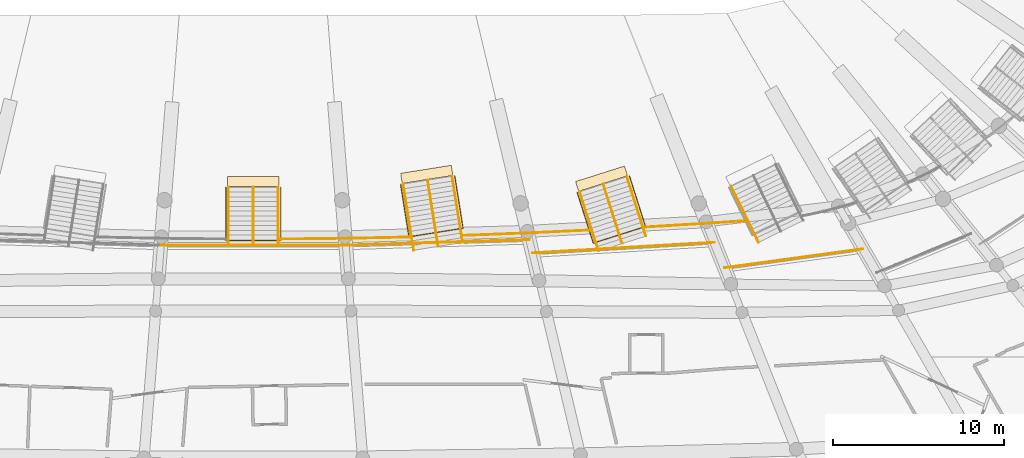
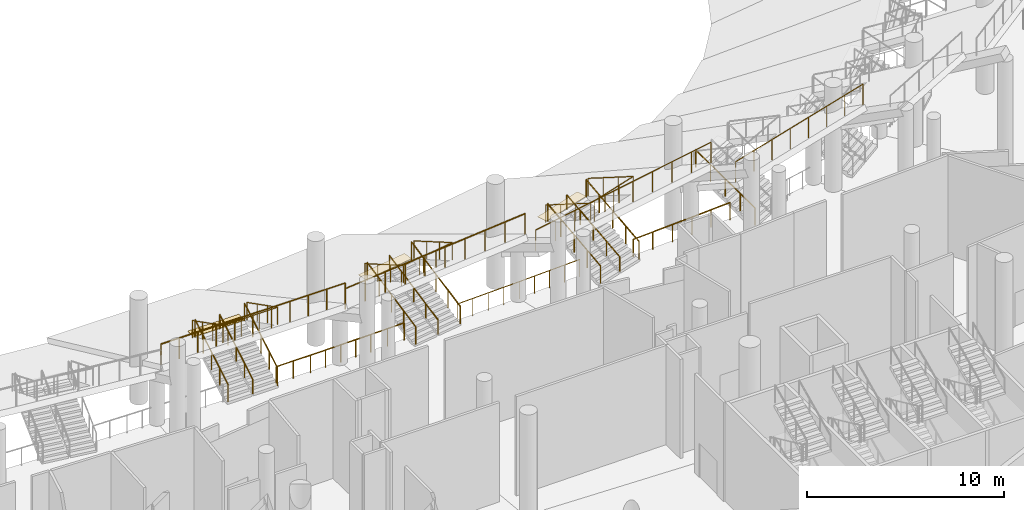
# One storey, part 207 of 255: 20 railings, 3 coverings.
"""IFC4 building model written with IfcOpenShell, lengths in metres."""

from ifc_helpers import new_model, si_unit, direction, frame, origin, origin_2d, place, context, subcontext, project, spatial, rectangle, circle, extrude, material, layer, layer_set, type_object, element, save


model = new_model("IFC4")

# Units and contexts
model_context = context("Model", 3, precision=1e-05, world=origin(), true_north=direction((0.0, 1.0)))
body_context = subcontext(model_context, "Body", "Model", "MODEL_VIEW")
ifc_project = project(units=[si_unit("LENGTHUNIT", "METRE"), si_unit("AREAUNIT", "SQUARE_METRE"), si_unit("VOLUMEUNIT", "CUBIC_METRE"), si_unit("PLANEANGLEUNIT", "RADIAN"), si_unit("MASSUNIT", "GRAM", prefix="KILO")], contexts=[model_context])

# Site, building, storey
site_placement = place(None, origin())
site = spatial("IfcSite", under=ifc_project, at=site_placement, CompositionType="ELEMENT")
building_placement = place(site_placement, origin())
building = spatial("IfcBuilding", under=site, at=building_placement, Name="Meseta Stadium", CompositionType="ELEMENT")
storey_placement = place(building_placement, origin())
storey = spatial("IfcBuildingStorey", under=building, at=storey_placement, Name="L00", CompositionType="ELEMENT", Elevation=0.0)

# Railings
ifc_material_1 = material(Name="Steel S355", Category="steel")
railing_type_1 = type_object("IfcRailingType", Name="Plate edge guard 1100", PredefinedType="GUARDRAIL", material=ifc_material_1)
railing_1_placement = place(storey_placement, frame((1.570068359375, -73.095947265625, 0.0)))
element("IfcRailing", 1, at=railing_1_placement, inside=storey, type_object=railing_type_1, Name="L00 inner edge guard 48", PredefinedType="GUARDRAIL", context=body_context, shape_type="SweptSolid", body=[
    extrude(circle(Radius=0.02490234375, at=origin_2d()), frame((0.0, 0.0, 1.0751953125), z_axis=(0.999975107636, 0.007055785431, 0.0), x_axis=(-0.007055785431, 0.999975107636, 0.0)), (0.0, 0.0, 1.0), 2.0068359375),
    extrude(circle(Radius=0.02490234375, at=origin_2d()), frame((2.0068359375, 0.01416015625, 1.0751953125), z_axis=(0.99991923612, 0.012709100582, 0.0), x_axis=(-0.012709100582, 0.99991923612, 0.0)), (0.0, 0.0, 1.0), 1.78662109375),
    extrude(circle(Radius=0.02490234375, at=origin_2d()), frame((3.793212890625, 0.036865234375, 1.0751953125), z_axis=(0.99984668871, 0.017509970742, 0.0), x_axis=(-0.017509970742, 0.99984668871, 0.0)), (0.0, 0.0, 1.0), 1.78466796875),
    extrude(circle(Radius=0.02490234375, at=origin_2d()), frame((5.57763671875, 0.068115234375, 1.0751953125), z_axis=(0.999737298967, 0.022920145151, 0.0), x_axis=(-0.022920145151, 0.999737298967, 0.0)), (0.0, 0.0, 1.0), 1.981201171875),
    extrude(circle(Radius=0.02001953125, at=origin_2d()), origin(), (0.0, 0.0, 1.0), 1.050048828125),
    extrude(circle(Radius=0.02001953125, at=origin_2d()), frame((1.00341796875, 0.007080078125, 0.0)), (0.0, 0.0, 1.0), 1.050048828125),
    extrude(circle(Radius=0.02001953125, at=origin_2d()), frame((2.0068359375, 0.01416015625, 0.0)), (0.0, 0.0, 1.0), 1.050048828125),
    extrude(circle(Radius=0.02001953125, at=origin_2d()), frame((2.89990234375, 0.025390625, 0.0)), (0.0, 0.0, 1.0), 1.050048828125),
    extrude(circle(Radius=0.02001953125, at=origin_2d()), frame((3.793212890625, 0.036865234375, 0.0)), (0.0, 0.0, 1.0), 1.050048828125),
    extrude(circle(Radius=0.02001953125, at=origin_2d()), frame((4.685546875, 0.052490234375, 0.0)), (0.0, 0.0, 1.0), 1.050048828125),
    extrude(circle(Radius=0.02001953125, at=origin_2d()), frame((5.57763671875, 0.068115234375, 0.0)), (0.0, 0.0, 1.0), 1.050048828125),
    extrude(circle(Radius=0.02001953125, at=origin_2d()), frame((6.56787109375, 0.0908203125, 0.0)), (0.0, 0.0, 1.0), 1.050048828125),
    extrude(circle(Radius=0.02001953125, at=origin_2d()), frame((7.558349609375, 0.113525390625, 0.0)), (0.0, 0.0, 1.0), 1.050048828125),
])
railing_2_placement = place(storey_placement, frame((12.292724609375, -72.888671875, 0.0)))
element("IfcRailing", 2, at=railing_2_placement, inside=storey, type_object=railing_type_1, Name="L00 inner edge guard 49", PredefinedType="GUARDRAIL", context=body_context, shape_type="SweptSolid", body=[
    extrude(circle(Radius=0.02490234375, at=origin_2d()), frame((0.0, 0.0, 1.0751953125), z_axis=(0.999269861076, 0.038206606047, 0.0), x_axis=(-0.038206606047, 0.999269861076, 0.0)), (0.0, 0.0, 1.0), 3.725341796875),
    extrude(circle(Radius=0.02490234375, at=origin_2d()), frame((3.72265625, 0.142333984375, 1.0751953125), z_axis=(0.99889955311, 0.04690077607, 0.0), x_axis=(-0.04690077607, 0.99889955311, 0.0)), (0.0, 0.0, 1.0), 3.64892578125),
    extrude(circle(Radius=0.02001953125, at=origin_2d()), origin(), (0.0, 0.0, 1.0), 1.050048828125),
    extrude(circle(Radius=0.02001953125, at=origin_2d()), frame((0.9306640625, 0.03564453125, 0.0)), (0.0, 0.0, 1.0), 1.050048828125),
    extrude(circle(Radius=0.02001953125, at=origin_2d()), frame((1.861328125, 0.0712890625, 0.0)), (0.0, 0.0, 1.0), 1.050048828125),
    extrude(circle(Radius=0.02001953125, at=origin_2d()), frame((2.7919921875, 0.106689453125, 0.0)), (0.0, 0.0, 1.0), 1.050048828125),
    extrude(circle(Radius=0.02001953125, at=origin_2d()), frame((3.72265625, 0.142333984375, 0.0)), (0.0, 0.0, 1.0), 1.050048828125),
    extrude(circle(Radius=0.02001953125, at=origin_2d()), frame((4.6337890625, 0.18505859375, 0.0)), (0.0, 0.0, 1.0), 1.050048828125),
    extrude(circle(Radius=0.02001953125, at=origin_2d()), frame((5.545166015625, 0.22802734375, 0.0)), (0.0, 0.0, 1.0), 1.050048828125),
    extrude(circle(Radius=0.02001953125, at=origin_2d()), frame((6.45654296875, 0.270751953125, 0.0)), (0.0, 0.0, 1.0), 1.050048828125),
    extrude(circle(Radius=0.02001953125, at=origin_2d()), frame((7.36767578125, 0.3134765625, 0.0)), (0.0, 0.0, 1.0), 1.050048828125),
])
railing_3_placement = place(storey_placement, frame((22.89892578125, -72.3994140625, 0.0)))
element("IfcRailing", 3, at=railing_3_placement, inside=storey, type_object=railing_type_1, Name="L00 inner edge guard 50", PredefinedType="GUARDRAIL", context=body_context, shape_type="SweptSolid", body=[
    extrude(circle(Radius=0.02490234375, at=origin_2d()), frame((0.0, 0.0, 1.0751953125), z_axis=(0.998168496631, 0.060495060402, 0.0), x_axis=(-0.060495060402, 0.998168496631, 0.0)), (0.0, 0.0, 1.0), 3.57568359375),
    extrude(circle(Radius=0.02490234375, at=origin_2d()), frame((3.569091796875, 0.21630859375, 1.0751953125), z_axis=(0.99784849256, 0.065562076657, 0.0), x_axis=(-0.065562076657, 0.99784849256, 0.0)), (0.0, 0.0, 1.0), 2.31982421875),
    extrude(circle(Radius=0.02001953125, at=origin_2d()), origin(), (0.0, 0.0, 1.0), 1.050048828125),
    extrude(circle(Radius=0.02001953125, at=origin_2d()), frame((1.189697265625, 0.072021484375, 0.0)), (0.0, 0.0, 1.0), 1.050048828125),
    extrude(circle(Radius=0.02001953125, at=origin_2d()), frame((2.37939453125, 0.144287109375, 0.0)), (0.0, 0.0, 1.0), 1.050048828125),
    extrude(circle(Radius=0.02001953125, at=origin_2d()), frame((3.569091796875, 0.21630859375, 0.0)), (0.0, 0.0, 1.0), 1.050048828125),
    extrude(circle(Radius=0.02001953125, at=origin_2d()), frame((4.7265625, 0.29248046875, 0.0)), (0.0, 0.0, 1.0), 1.050048828125),
    extrude(circle(Radius=0.02001953125, at=origin_2d()), frame((5.884033203125, 0.368408203125, 0.0)), (0.0, 0.0, 1.0), 1.050048828125),
])
ifc_material_2 = material(Name="Steel S355", Category="steel")
railing_type_2 = type_object("IfcRailingType", Name="Stand rear guard 1300", PredefinedType="GUARDRAIL", material=ifc_material_2)
railing_4_placement = place(storey_placement, frame((-5.4013671875, -73.457763671875, 3.86328125)))
element("IfcRailing", 4, at=railing_4_placement, inside=storey, type_object=railing_type_2, Name="Stand lower tier rear guard bay 47", PredefinedType="GUARDRAIL", context=body_context, shape_type="SweptSolid", body=[
    extrude(circle(Radius=0.02490234375, at=origin_2d()), frame((0.0, 0.0, 1.27490234375), z_axis=(1.0, 0.0, 0.0), x_axis=(0.0, 1.0, 0.0)), (0.0, 0.0, 1.0), 10.802734375),
    extrude(circle(Radius=0.02001953125, at=origin_2d()), origin(), (0.0, 0.0, 1.0), 1.25),
    extrude(circle(Radius=0.02001953125, at=origin_2d()), frame((1.080322265625, 0.0, 0.0)), (0.0, 0.0, 1.0), 1.25),
    extrude(circle(Radius=0.02001953125, at=origin_2d()), frame((2.16064453125, 0.0, 0.0)), (0.0, 0.0, 1.0), 1.25),
    extrude(circle(Radius=0.02001953125, at=origin_2d()), frame((3.24072265625, 0.0, 0.0)), (0.0, 0.0, 1.0), 1.25),
    extrude(circle(Radius=0.02001953125, at=origin_2d()), frame((4.321044921875, 0.0, 0.0)), (0.0, 0.0, 1.0), 1.25),
    extrude(circle(Radius=0.02001953125, at=origin_2d()), frame((5.4013671875, 0.0, 0.0)), (0.0, 0.0, 1.0), 1.25),
    extrude(circle(Radius=0.02001953125, at=origin_2d()), frame((6.481689453125, 0.0, 0.0)), (0.0, 0.0, 1.0), 1.25),
    extrude(circle(Radius=0.02001953125, at=origin_2d()), frame((7.56201171875, 0.0, 0.0)), (0.0, 0.0, 1.0), 1.25),
    extrude(circle(Radius=0.02001953125, at=origin_2d()), frame((8.64208984375, 0.0, 0.0)), (0.0, 0.0, 1.0), 1.25),
    extrude(circle(Radius=0.02001953125, at=origin_2d()), frame((9.722412109375, 0.0, 0.0)), (0.0, 0.0, 1.0), 1.25),
    extrude(circle(Radius=0.02001953125, at=origin_2d()), frame((10.802734375, 0.0, 0.0)), (0.0, 0.0, 1.0), 1.25),
])
railing_5_placement = place(storey_placement, frame((5.4013671875, -73.457763671875, 3.517578125)))
element("IfcRailing", 5, at=railing_5_placement, inside=storey, type_object=railing_type_2, Name="Stand lower tier rear guard bay 48", PredefinedType="GUARDRAIL", context=body_context, shape_type="SweptSolid", body=[
    extrude(circle(Radius=0.02490234375, at=origin_2d()), frame((0.0, 0.0, 1.27490234375), z_axis=(0.997458319074, 0.030219817506, 0.064526462324), x_axis=(-0.030282927239, 0.999541366987, 0.0)), (0.0, 0.0, 1.0), 10.7529296875),
    extrude(circle(Radius=0.02001953125, at=origin_2d()), origin(), (0.0, 0.0, 1.0), 1.25),
    extrude(circle(Radius=0.02001953125, at=origin_2d()), frame((1.191650390625, 0.0361328125, 0.0771484375)), (0.0, 0.0, 1.0), 1.25),
    extrude(circle(Radius=0.02001953125, at=origin_2d()), frame((2.383544921875, 0.072265625, 0.154296875)), (0.0, 0.0, 1.0), 1.25),
    extrude(circle(Radius=0.02001953125, at=origin_2d()), frame((3.5751953125, 0.1083984375, 0.231201171875)), (0.0, 0.0, 1.0), 1.25),
    extrude(circle(Radius=0.02001953125, at=origin_2d()), frame((4.766845703125, 0.14453125, 0.308349609375)), (0.0, 0.0, 1.0), 1.25),
    extrude(circle(Radius=0.02001953125, at=origin_2d()), frame((5.958740234375, 0.180419921875, 0.385498046875)), (0.0, 0.0, 1.0), 1.25),
    extrude(circle(Radius=0.02001953125, at=origin_2d()), frame((7.150390625, 0.216552734375, 0.462646484375)), (0.0, 0.0, 1.0), 1.25),
    extrude(circle(Radius=0.02001953125, at=origin_2d()), frame((8.342041015625, 0.252685546875, 0.53955078125)), (0.0, 0.0, 1.0), 1.25),
    extrude(circle(Radius=0.02001953125, at=origin_2d()), frame((9.533935546875, 0.288818359375, 0.61669921875)), (0.0, 0.0, 1.0), 1.25),
    extrude(circle(Radius=0.02001953125, at=origin_2d()), frame((10.7255859375, 0.324951171875, 0.69384765625)), (0.0, 0.0, 1.0), 1.25),
])
railing_6_placement = place(storey_placement, frame((16.312255859375, -73.9111328125, 3.6044921875)))
element("IfcRailing", 6, at=railing_6_placement, inside=storey, type_object=railing_type_2, Name="Stand lower tier rear guard bay 49", PredefinedType="GUARDRAIL", context=body_context, shape_type="SweptSolid", body=[
    extrude(circle(Radius=0.02490234375, at=origin_2d()), frame((0.0, 0.0, 1.27490234375), z_axis=(0.990502676823, 0.05772016931, 0.124791142557), x_axis=(-0.058174920753, 0.998306405166, 0.0)), (0.0, 0.0, 1.0), 10.730712890625),
    extrude(circle(Radius=0.02001953125, at=origin_2d()), origin(), (0.0, 0.0, 1.0), 1.25),
    extrude(circle(Radius=0.02001953125, at=origin_2d()), frame((1.180908203125, 0.06884765625, 0.148681640625)), (0.0, 0.0, 1.0), 1.25),
    extrude(circle(Radius=0.02001953125, at=origin_2d()), frame((2.362060546875, 0.1376953125, 0.297607421875)), (0.0, 0.0, 1.0), 1.25),
    extrude(circle(Radius=0.02001953125, at=origin_2d()), frame((3.54296875, 0.20654296875, 0.4462890625)), (0.0, 0.0, 1.0), 1.25),
    extrude(circle(Radius=0.02001953125, at=origin_2d()), frame((4.723876953125, 0.275390625, 0.59521484375)), (0.0, 0.0, 1.0), 1.25),
    extrude(circle(Radius=0.02001953125, at=origin_2d()), frame((5.905029296875, 0.343994140625, 0.743896484375)), (0.0, 0.0, 1.0), 1.25),
    extrude(circle(Radius=0.02001953125, at=origin_2d()), frame((7.0859375, 0.412841796875, 0.892822265625)), (0.0, 0.0, 1.0), 1.25),
    extrude(circle(Radius=0.02001953125, at=origin_2d()), frame((8.266845703125, 0.481689453125, 1.04150390625)), (0.0, 0.0, 1.0), 1.25),
    extrude(circle(Radius=0.02001953125, at=origin_2d()), frame((9.447998046875, 0.550537109375, 1.1904296875)), (0.0, 0.0, 1.0), 1.25),
    extrude(circle(Radius=0.02001953125, at=origin_2d()), frame((10.62890625, 0.619384765625, 1.339111328125)), (0.0, 0.0, 1.0), 1.25),
])
railing_7_placement = place(storey_placement, frame((27.53125, -74.77880859375, 4.43603515625)))
element("IfcRailing", 7, at=railing_7_placement, inside=storey, type_object=railing_type_2, Name="Stand lower tier rear guard bay 50", PredefinedType="GUARDRAIL", context=body_context, shape_type="SweptSolid", body=[
    extrude(circle(Radius=0.02490234375, at=origin_2d()), frame((0.0, 0.0, 1.27490234375), z_axis=(0.978469998435, 0.133688963912, 0.157237791549), x_axis=(-0.135372898361, 0.99079472061, 0.0)), (0.0, 0.0, 1.0), 8.28369140625),
    extrude(circle(Radius=0.02001953125, at=origin_2d()), origin(), (0.0, 0.0, 1.0), 1.25),
    extrude(circle(Radius=0.02001953125, at=origin_2d()), frame((1.157958984375, 0.158203125, 0.18603515625)), (0.0, 0.0, 1.0), 1.25),
    extrude(circle(Radius=0.02001953125, at=origin_2d()), frame((2.315673828125, 0.31640625, 0.3720703125)), (0.0, 0.0, 1.0), 1.25),
    extrude(circle(Radius=0.02001953125, at=origin_2d()), frame((3.4736328125, 0.474609375, 0.55810546875)), (0.0, 0.0, 1.0), 1.25),
    extrude(circle(Radius=0.02001953125, at=origin_2d()), frame((4.631591796875, 0.6328125, 0.744384765625)), (0.0, 0.0, 1.0), 1.25),
    extrude(circle(Radius=0.02001953125, at=origin_2d()), frame((5.78955078125, 0.791015625, 0.930419921875)), (0.0, 0.0, 1.0), 1.25),
    extrude(circle(Radius=0.02001953125, at=origin_2d()), frame((6.947265625, 0.94921875, 1.116455078125)), (0.0, 0.0, 1.0), 1.25),
    extrude(circle(Radius=0.02001953125, at=origin_2d()), frame((8.105224609375, 1.107421875, 1.302490234375)), (0.0, 0.0, 1.0), 1.25),
])

# Coverings
ifc_material_3 = material(Name="Stone paving", Category="masonry")
ifc_layer = layer(ifc_material_3, 0.02001953125)
ifc_layer_set = layer_set([ifc_layer], Name="Vomitory exit threshold plate 20")
covering_type = type_object("IfcCoveringType", Name="Vomitory exit threshold plate 20", PredefinedType="FLOORING", material=ifc_layer_set)
for number, where, z_axis, x_axis, name in (
    (8, (0.0, -69.72705078125, 2.114990234375), (0.0, 0.0, 1.0), (0.0, 1.0, 0.0), "Vomitory V-lower-47 exit threshold"),
    (9, (10.1357421875, -69.314453125, 1.963134765625), (0.0, 0.0, 1.0), (-0.15676715754, 0.987635589839, 0.0), "Vomitory V-lower-48 exit threshold"),
    (10, (20.3525390625, -69.566650390625, 2.270263671875), (0.0, 0.0, 1.0), (-0.302579501013, 0.953124150133, 0.0), "Vomitory V-lower-49 exit threshold"),
):
    element("IfcCovering", number, at=place(storey_placement, frame(where, z_axis=z_axis, x_axis=x_axis)), inside=storey, type_object=covering_type, Name=name, PredefinedType="FLOORING", context=body_context, shape_type="SweptSolid", body=[
        extrude(rectangle(XDim=0.60009765625, YDim=3.0, at=origin_2d()), origin(), (0.0, 0.0, 1.0), 0.02001953125),
    ])

# Railings
ifc_material_4 = material(Name="Steel S355", Category="steel")
railing_type_3 = type_object("IfcRailingType", Name="Vomitory slot guard 1100", PredefinedType="GUARDRAIL", material=ifc_material_4)
railing_8_placement = place(storey_placement, frame((1.60009765625, -70.068359375, 2.135009765625)))
element("IfcRailing", 11, at=railing_8_placement, inside=storey, type_object=railing_type_3, Name="Vomitory V-lower-47 slot guard", PredefinedType="GUARDRAIL", context=body_context, shape_type="SweptSolid", body=[
    extrude(circle(Radius=0.02490234375, at=origin_2d()), frame((0.0, 0.0, 1.0751953125), z_axis=(0.0, -0.890848802533, 0.454299913082), x_axis=(1.0, 0.0, 0.0)), (0.0, 0.0, 1.0), 3.479736328125),
    extrude(circle(Radius=0.02490234375, at=origin_2d()), frame((0.0, -3.099853515625, 2.65576171875), z_axis=(-1.0, 0.0, 0.0), x_axis=(0.0, -1.0, 0.0)), (0.0, 0.0, 1.0), 3.2001953125),
    extrude(circle(Radius=0.02490234375, at=origin_2d()), frame((-3.2001953125, -3.099853515625, 2.65576171875), z_axis=(0.0, 0.890848802533, -0.454299913082), x_axis=(-1.0, 0.0, 0.0)), (0.0, 0.0, 1.0), 3.479736328125),
    extrude(circle(Radius=0.02001953125, at=origin_2d()), origin(), (0.0, 0.0, 1.0), 1.050048828125),
    extrude(circle(Radius=0.02001953125, at=origin_2d()), frame((0.0, -1.033203125, 0.52685546875)), (0.0, 0.0, 1.0), 1.050048828125),
    extrude(circle(Radius=0.02001953125, at=origin_2d()), frame((0.0, -2.066650390625, 1.053955078125)), (0.0, 0.0, 1.0), 1.050048828125),
    extrude(circle(Radius=0.02001953125, at=origin_2d()), frame((0.0, -3.099853515625, 1.580810546875)), (0.0, 0.0, 1.0), 1.050048828125),
    extrude(circle(Radius=0.02001953125, at=origin_2d()), frame((-1.066650390625, -3.099853515625, 1.580810546875)), (0.0, 0.0, 1.0), 1.050048828125),
    extrude(circle(Radius=0.02001953125, at=origin_2d()), frame((-2.133544921875, -3.099853515625, 1.580810546875)), (0.0, 0.0, 1.0), 1.050048828125),
    extrude(circle(Radius=0.02001953125, at=origin_2d()), frame((-3.2001953125, -3.099853515625, 1.580810546875)), (0.0, 0.0, 1.0), 1.050048828125),
    extrude(circle(Radius=0.02001953125, at=origin_2d()), frame((-3.2001953125, -2.066650390625, 1.053955078125)), (0.0, 0.0, 1.0), 1.050048828125),
    extrude(circle(Radius=0.02001953125, at=origin_2d()), frame((-3.2001953125, -1.033203125, 0.52685546875)), (0.0, 0.0, 1.0), 1.050048828125),
    extrude(circle(Radius=0.02001953125, at=origin_2d()), frame((-3.2001953125, 0.0, 0.0)), (0.0, 0.0, 1.0), 1.050048828125),
])
railing_9_placement = place(storey_placement, frame((11.76953125, -69.400634765625, 1.983154296875)))
element("IfcRailing", 12, at=railing_9_placement, inside=storey, type_object=railing_type_3, Name="Vomitory V-lower-48 slot guard", PredefinedType="GUARDRAIL", context=body_context, shape_type="SweptSolid", body=[
    extrude(circle(Radius=0.02490234375, at=origin_2d()), frame((0.0, 0.0, 1.0751953125), z_axis=(0.139687741753, -0.879801246401, 0.45435349854), x_axis=(0.987629140267, 0.156807784551, 0.0)), (0.0, 0.0, 1.0), 3.479736328125),
    extrude(circle(Radius=0.02490234375, at=origin_2d()), frame((0.486083984375, -3.0615234375, 2.65625), z_axis=(-0.987634591008, -0.156773450063, 0.0), x_axis=(0.156773450063, -0.987634591008, 0.0)), (0.0, 0.0, 1.0), 3.2001953125),
    extrude(circle(Radius=0.02490234375, at=origin_2d()), frame((-2.674560546875, -3.563232421875, 2.65625), z_axis=(-0.139610332251, 0.879825716963, -0.454329905355), x_axis=(-0.98764326903, -0.156718770861, 0.0)), (0.0, 0.0, 1.0), 3.47998046875),
    extrude(circle(Radius=0.02001953125, at=origin_2d()), origin(), (0.0, 0.0, 1.0), 1.050048828125),
    extrude(circle(Radius=0.02001953125, at=origin_2d()), frame((0.162109375, -1.0205078125, 0.527099609375)), (0.0, 0.0, 1.0), 1.050048828125),
    extrude(circle(Radius=0.02001953125, at=origin_2d()), frame((0.323974609375, -2.041015625, 1.053955078125)), (0.0, 0.0, 1.0), 1.050048828125),
    extrude(circle(Radius=0.02001953125, at=origin_2d()), frame((0.486083984375, -3.0615234375, 1.5810546875)), (0.0, 0.0, 1.0), 1.050048828125),
    extrude(circle(Radius=0.02001953125, at=origin_2d()), frame((-0.5673828125, -3.228759765625, 1.5810546875)), (0.0, 0.0, 1.0), 1.050048828125),
    extrude(circle(Radius=0.02001953125, at=origin_2d()), frame((-1.62109375, -3.39599609375, 1.5810546875)), (0.0, 0.0, 1.0), 1.050048828125),
    extrude(circle(Radius=0.02001953125, at=origin_2d()), frame((-2.674560546875, -3.563232421875, 1.5810546875)), (0.0, 0.0, 1.0), 1.050048828125),
    extrude(circle(Radius=0.02001953125, at=origin_2d()), frame((-2.83642578125, -2.542724609375, 1.053955078125)), (0.0, 0.0, 1.0), 1.050048828125),
    extrude(circle(Radius=0.02001953125, at=origin_2d()), frame((-2.99853515625, -1.52197265625, 0.527099609375)), (0.0, 0.0, 1.0), 1.050048828125),
    extrude(circle(Radius=0.02001953125, at=origin_2d()), frame((-3.160400390625, -0.50146484375, 0.0)), (0.0, 0.0, 1.0), 1.050048828125),
])
railing_10_placement = place(storey_placement, frame((21.980712890625, -69.40771484375, 2.290283203125)))
element("IfcRailing", 13, at=railing_10_placement, inside=storey, type_object=railing_type_3, Name="Vomitory V-lower-49 slot guard", PredefinedType="GUARDRAIL", context=body_context, shape_type="SweptSolid", body=[
    extrude(circle(Radius=0.02490234375, at=origin_2d()), frame((0.0, 0.0, 1.0751953125), z_axis=(0.269543229433, -0.84911028262, 0.454266634716), x_axis=(0.953129314029, 0.302563234281, 0.0)), (0.0, 0.0, 1.0), 3.47998046875),
    extrude(circle(Radius=0.02490234375, at=origin_2d()), frame((0.93798828125, -2.954833984375, 2.65576171875), z_axis=(-0.953117980059, -0.302598936032, 0.0), x_axis=(0.302598936032, -0.953117980059, 0.0)), (0.0, 0.0, 1.0), 3.19970703125),
    extrude(circle(Radius=0.02490234375, at=origin_2d()), frame((-2.11181640625, -3.923095703125, 2.65576171875), z_axis=(-0.269559287174, 0.849090706242, -0.454293697151), x_axis=(-0.95312210395, -0.302585946404, 0.0)), (0.0, 0.0, 1.0), 3.479736328125),
    extrude(circle(Radius=0.02001953125, at=origin_2d()), origin(), (0.0, 0.0, 1.0), 1.050048828125),
    extrude(circle(Radius=0.02001953125, at=origin_2d()), frame((0.312744140625, -0.98486328125, 0.52685546875)), (0.0, 0.0, 1.0), 1.050048828125),
    extrude(circle(Radius=0.02001953125, at=origin_2d()), frame((0.625244140625, -1.969970703125, 1.053955078125)), (0.0, 0.0, 1.0), 1.050048828125),
    extrude(circle(Radius=0.02001953125, at=origin_2d()), frame((0.93798828125, -2.954833984375, 1.580810546875)), (0.0, 0.0, 1.0), 1.050048828125),
    extrude(circle(Radius=0.02001953125, at=origin_2d()), frame((-0.07861328125, -3.277587890625, 1.580810546875)), (0.0, 0.0, 1.0), 1.050048828125),
    extrude(circle(Radius=0.02001953125, at=origin_2d()), frame((-1.09521484375, -3.600341796875, 1.580810546875)), (0.0, 0.0, 1.0), 1.050048828125),
    extrude(circle(Radius=0.02001953125, at=origin_2d()), frame((-2.11181640625, -3.923095703125, 1.580810546875)), (0.0, 0.0, 1.0), 1.050048828125),
    extrude(circle(Radius=0.02001953125, at=origin_2d()), frame((-2.424560546875, -2.938232421875, 1.053955078125)), (0.0, 0.0, 1.0), 1.050048828125),
    extrude(circle(Radius=0.02001953125, at=origin_2d()), frame((-2.737060546875, -1.953369140625, 0.52685546875)), (0.0, 0.0, 1.0), 1.050048828125),
    extrude(circle(Radius=0.02001953125, at=origin_2d()), frame((-3.0498046875, -0.968505859375, 0.0)), (0.0, 0.0, 1.0), 1.050048828125),
])
ifc_material_5 = material(Name="Steel S355", Category="steel")
railing_type_4 = type_object("IfcRailingType", Name="Vomitory stair guard 1100", PredefinedType="GUARDRAIL", material=ifc_material_5)
for number, where, name in (
    (14, (-1.449951171875, -73.42822265625, 0.164306640625), "Vomitory V-lower-47 guard left"),
    (15, (1.449951171875, -73.42822265625, 0.164306640625), "Vomitory V-lower-47 guard right"),
):
    element("IfcRailing", number, at=place(storey_placement, frame(where)), inside=storey, type_object=railing_type_4, Name=name, PredefinedType="GUARDRAIL", context=body_context, shape_type="SweptSolid", body=[
        extrude(circle(Radius=0.02490234375, at=origin_2d()), frame((0.0, 0.0, 1.0751953125), z_axis=(0.0, 0.862571589206, 0.505935028926), x_axis=(-1.0, 0.0, 0.0)), (0.0, 0.0, 1.0), 3.895263671875),
        extrude(circle(Radius=0.02001953125, at=origin_2d()), origin(), (0.0, 0.0, 1.0), 1.050048828125),
        extrude(circle(Radius=0.02001953125, at=origin_2d()), frame((0.0, 0.83984375, 0.49267578125)), (0.0, 0.0, 1.0), 1.050048828125),
        extrude(circle(Radius=0.02001953125, at=origin_2d()), frame((0.0, 1.679931640625, 0.9853515625)), (0.0, 0.0, 1.0), 1.050048828125),
        extrude(circle(Radius=0.02001953125, at=origin_2d()), frame((0.0, 2.52001953125, 1.47802734375)), (0.0, 0.0, 1.0), 1.050048828125),
        extrude(circle(Radius=0.02001953125, at=origin_2d()), frame((0.0, 3.35986328125, 1.970703125)), (0.0, 0.0, 1.0), 1.050048828125),
    ])
for number, where, name in (
    (16, (9.37158203125, -73.750244140625, 0.132080078125), "Vomitory V-lower-48 guard left"),
    (17, (12.23583984375, -73.295654296875, 0.132080078125), "Vomitory V-lower-48 guard right"),
):
    element("IfcRailing", number, at=place(storey_placement, frame(where)), inside=storey, type_object=railing_type_4, Name=name, PredefinedType="GUARDRAIL", context=body_context, shape_type="SweptSolid", body=[
        extrude(circle(Radius=0.02490234375, at=origin_2d()), frame((0.0, 0.0, 1.0751953125), z_axis=(-0.141749810078, 0.89307448876, 0.42699525626), x_axis=(-0.987636905965, -0.156758865703, 0.0)), (0.0, 0.0, 1.0), 4.335205078125),
        extrude(circle(Radius=0.02001953125, at=origin_2d()), origin(), (0.0, 0.0, 1.0), 1.050048828125),
        extrude(circle(Radius=0.02001953125, at=origin_2d()), frame((-0.153564453125, 0.9677734375, 0.462890625)), (0.0, 0.0, 1.0), 1.050048828125),
        extrude(circle(Radius=0.02001953125, at=origin_2d()), frame((-0.30712890625, 1.935791015625, 0.925537109375)), (0.0, 0.0, 1.0), 1.050048828125),
        extrude(circle(Radius=0.02001953125, at=origin_2d()), frame((-0.4609375, 2.90380859375, 1.38818359375)), (0.0, 0.0, 1.0), 1.050048828125),
        extrude(circle(Radius=0.02001953125, at=origin_2d()), frame((-0.614501953125, 3.87158203125, 1.85107421875)), (0.0, 0.0, 1.0), 1.050048828125),
    ])
railing_11_placement = place(storey_placement, frame((20.175048828125, -73.800048828125, 0.16357421875)))
element("IfcRailing", 18, at=railing_11_placement, inside=storey, type_object=railing_type_4, Name="Vomitory V-lower-49 guard left", PredefinedType="GUARDRAIL", context=body_context, shape_type="SweptSolid", body=[
    extrude(circle(Radius=0.02490234375, at=origin_2d()), frame((0.0, 0.0, 1.0751953125), z_axis=(-0.261247393792, 0.822949560139, 0.504483716986), x_axis=(-0.953126416447, -0.30257236204, 0.0)), (0.0, 0.0, 1.0), 4.215576171875),
    extrude(circle(Radius=0.02001953125, at=origin_2d()), origin(), (0.0, 0.0, 1.0), 1.050048828125),
    extrude(circle(Radius=0.02001953125, at=origin_2d()), frame((-0.275390625, 0.8671875, 0.53173828125)), (0.0, 0.0, 1.0), 1.050048828125),
    extrude(circle(Radius=0.02001953125, at=origin_2d()), frame((-0.55078125, 1.734619140625, 1.0634765625)), (0.0, 0.0, 1.0), 1.050048828125),
    extrude(circle(Radius=0.02001953125, at=origin_2d()), frame((-0.825927734375, 2.60205078125, 1.594970703125)), (0.0, 0.0, 1.0), 1.050048828125),
    extrude(circle(Radius=0.02001953125, at=origin_2d()), frame((-1.101318359375, 3.46923828125, 2.126708984375)), (0.0, 0.0, 1.0), 1.050048828125),
])
railing_12_placement = place(storey_placement, frame((22.939208984375, -72.922607421875, 0.16357421875)))
element("IfcRailing", 19, at=railing_12_placement, inside=storey, type_object=railing_type_4, Name="Vomitory V-lower-49 guard right", PredefinedType="GUARDRAIL", context=body_context, shape_type="SweptSolid", body=[
    extrude(circle(Radius=0.02490234375, at=origin_2d()), frame((0.0, 0.0, 1.0751953125), z_axis=(-0.261234943242, 0.822968250589, 0.504459674258), x_axis=(-0.953132556517, -0.302553019664, 0.0)), (0.0, 0.0, 1.0), 4.2158203125),
    extrude(circle(Radius=0.02001953125, at=origin_2d()), origin(), (0.0, 0.0, 1.0), 1.050048828125),
    extrude(circle(Radius=0.02001953125, at=origin_2d()), frame((-0.275390625, 0.867431640625, 0.53173828125)), (0.0, 0.0, 1.0), 1.050048828125),
    extrude(circle(Radius=0.02001953125, at=origin_2d()), frame((-0.55078125, 1.73486328125, 1.0634765625)), (0.0, 0.0, 1.0), 1.050048828125),
    extrude(circle(Radius=0.02001953125, at=origin_2d()), frame((-0.825927734375, 2.60205078125, 1.594970703125)), (0.0, 0.0, 1.0), 1.050048828125),
    extrude(circle(Radius=0.02001953125, at=origin_2d()), frame((-1.101318359375, 3.469482421875, 2.126708984375)), (0.0, 0.0, 1.0), 1.050048828125),
])
railing_13_placement = place(storey_placement, frame((29.527587890625, -73.285400390625, 0.167236328125)))
element("IfcRailing", 20, at=railing_13_placement, inside=storey, type_object=railing_type_4, Name="Vomitory V-lower-50 guard left", PredefinedType="GUARDRAIL", context=body_context, shape_type="SweptSolid", body=[
    extrude(circle(Radius=0.02490234375, at=origin_2d()), frame((0.0, 0.0, 1.0751953125), z_axis=(-0.37602612148, 0.771861276005, 0.512673898857), x_axis=(-0.898993931431, -0.437961084172, 0.0)), (0.0, 0.0, 1.0), 4.23974609375),
    extrude(circle(Radius=0.02001953125, at=origin_2d()), origin(), (0.0, 0.0, 1.0), 1.050048828125),
    extrude(circle(Radius=0.02001953125, at=origin_2d()), frame((-0.3984375, 0.818115234375, 0.54345703125)), (0.0, 0.0, 1.0), 1.050048828125),
    extrude(circle(Radius=0.02001953125, at=origin_2d()), frame((-0.797119140625, 1.63623046875, 1.0869140625)), (0.0, 0.0, 1.0), 1.050048828125),
    extrude(circle(Radius=0.02001953125, at=origin_2d()), frame((-1.19580078125, 2.454345703125, 1.630126953125)), (0.0, 0.0, 1.0), 1.050048828125),
    extrude(circle(Radius=0.02001953125, at=origin_2d()), frame((-1.59423828125, 3.2724609375, 2.173583984375)), (0.0, 0.0, 1.0), 1.050048828125),
])
ifc_material_6 = material(Name="Steel S355", Category="steel")
railing_type_5 = type_object("IfcRailingType", Name="Vomitory stair handrail 900", PredefinedType="HANDRAIL", material=ifc_material_6)
railing_14_placement = place(storey_placement, frame((0.0, -73.42822265625, 0.164306640625)))
element("IfcRailing", 21, at=railing_14_placement, inside=storey, type_object=railing_type_5, Name="Vomitory V-lower-47 central handrail", PredefinedType="HANDRAIL", context=body_context, shape_type="SweptSolid", body=[
    extrude(circle(Radius=0.02490234375, at=origin_2d()), frame((0.0, 0.0, 0.875), z_axis=(0.0, 0.862571589206, 0.505935028926), x_axis=(-1.0, 0.0, 0.0)), (0.0, 0.0, 1.0), 3.895263671875),
    extrude(circle(Radius=0.02001953125, at=origin_2d()), origin(), (0.0, 0.0, 1.0), 0.849853515625),
    extrude(circle(Radius=0.02001953125, at=origin_2d()), frame((0.0, 0.83984375, 0.49267578125)), (0.0, 0.0, 1.0), 0.849853515625),
    extrude(circle(Radius=0.02001953125, at=origin_2d()), frame((0.0, 1.679931640625, 0.9853515625)), (0.0, 0.0, 1.0), 0.849853515625),
    extrude(circle(Radius=0.02001953125, at=origin_2d()), frame((0.0, 2.52001953125, 1.47802734375)), (0.0, 0.0, 1.0), 0.849853515625),
    extrude(circle(Radius=0.02001953125, at=origin_2d()), frame((0.0, 3.35986328125, 1.970703125)), (0.0, 0.0, 1.0), 0.849853515625),
])
railing_15_placement = place(storey_placement, frame((10.8037109375, -73.52294921875, 0.132080078125)))
element("IfcRailing", 22, at=railing_15_placement, inside=storey, type_object=railing_type_5, Name="Vomitory V-lower-48 central handrail", PredefinedType="HANDRAIL", context=body_context, shape_type="SweptSolid", body=[
    extrude(circle(Radius=0.02490234375, at=origin_2d()), frame((0.0, 0.0, 0.875), z_axis=(-0.141749810078, 0.89307448876, 0.42699525626), x_axis=(-0.987636905965, -0.156758865703, 0.0)), (0.0, 0.0, 1.0), 4.335205078125),
    extrude(circle(Radius=0.02001953125, at=origin_2d()), origin(), (0.0, 0.0, 1.0), 0.849853515625),
    extrude(circle(Radius=0.02001953125, at=origin_2d()), frame((-0.153564453125, 0.9677734375, 0.462890625)), (0.0, 0.0, 1.0), 0.849853515625),
    extrude(circle(Radius=0.02001953125, at=origin_2d()), frame((-0.30712890625, 1.935791015625, 0.925537109375)), (0.0, 0.0, 1.0), 0.849853515625),
    extrude(circle(Radius=0.02001953125, at=origin_2d()), frame((-0.4609375, 2.90380859375, 1.38818359375)), (0.0, 0.0, 1.0), 0.849853515625),
    extrude(circle(Radius=0.02001953125, at=origin_2d()), frame((-0.614501953125, 3.87158203125, 1.85107421875)), (0.0, 0.0, 1.0), 0.849853515625),
])
railing_16_placement = place(storey_placement, frame((21.55712890625, -73.361328125, 0.16357421875)))
element("IfcRailing", 23, at=railing_16_placement, inside=storey, type_object=railing_type_5, Name="Vomitory V-lower-49 central handrail", PredefinedType="HANDRAIL", context=body_context, shape_type="SweptSolid", body=[
    extrude(circle(Radius=0.02490234375, at=origin_2d()), frame((0.0, 0.0, 0.875), z_axis=(-0.261234943242, 0.822968250589, 0.504459674258), x_axis=(-0.953132556517, -0.302553019664, 0.0)), (0.0, 0.0, 1.0), 4.2158203125),
    extrude(circle(Radius=0.02001953125, at=origin_2d()), origin(), (0.0, 0.0, 1.0), 0.849853515625),
    extrude(circle(Radius=0.02001953125, at=origin_2d()), frame((-0.275390625, 0.867431640625, 0.53173828125)), (0.0, 0.0, 1.0), 0.849853515625),
    extrude(circle(Radius=0.02001953125, at=origin_2d()), frame((-0.55078125, 1.73486328125, 1.0634765625)), (0.0, 0.0, 1.0), 0.849853515625),
    extrude(circle(Radius=0.02001953125, at=origin_2d()), frame((-0.825927734375, 2.60205078125, 1.594970703125)), (0.0, 0.0, 1.0), 0.849853515625),
    extrude(circle(Radius=0.02001953125, at=origin_2d()), frame((-1.101318359375, 3.469482421875, 2.126708984375)), (0.0, 0.0, 1.0), 0.849853515625),
])

save(model, "model.ifc")
